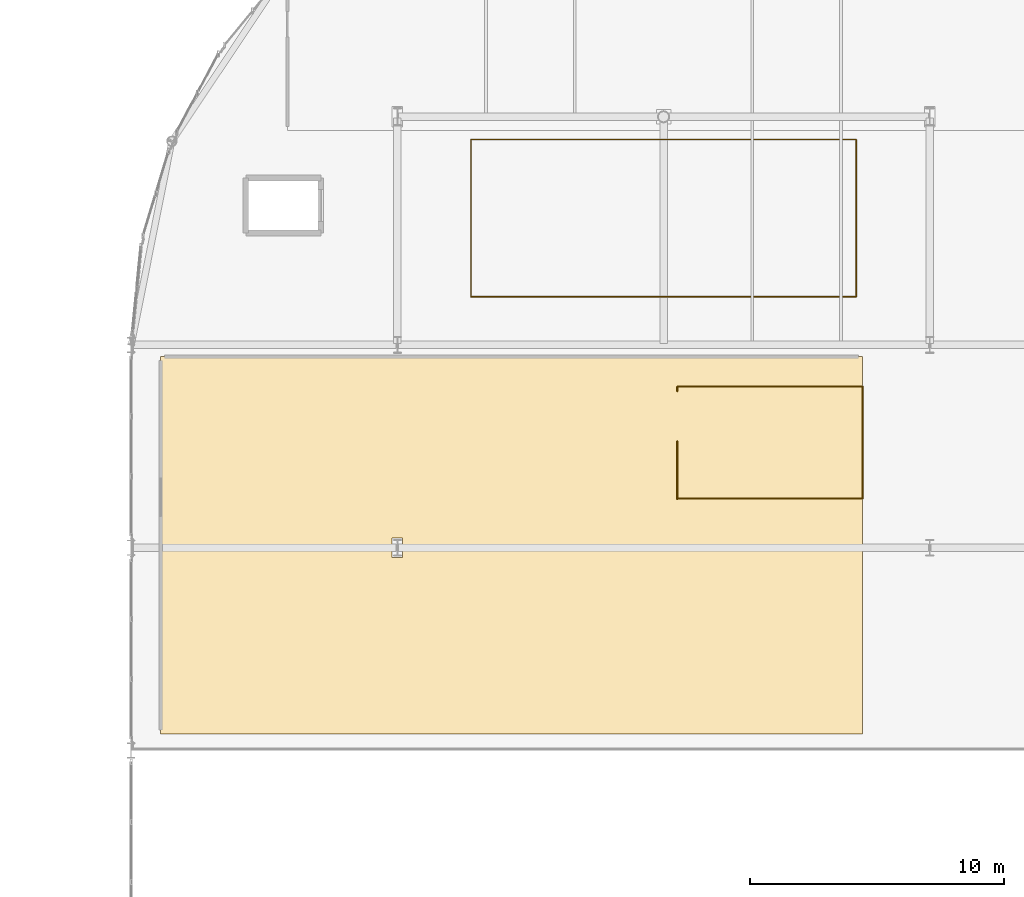
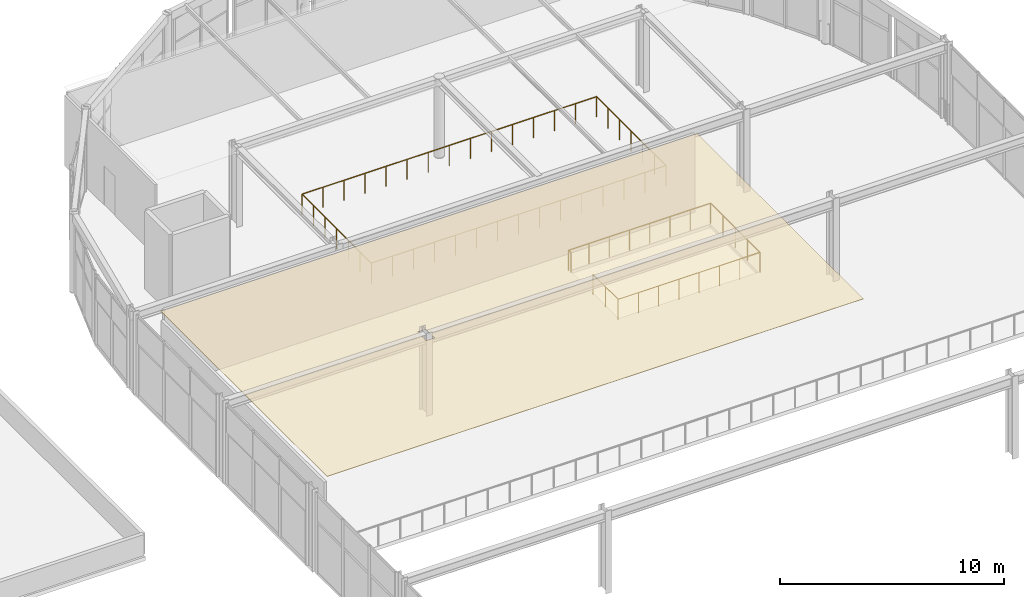
# One storey, part 94 of 105: 3 railings, 1 covering.
"""IFC4 building model written with IfcOpenShell, lengths in metres."""

from ifc_helpers import new_model, si_unit, direction, frame, origin, origin_2d, place, context, subcontext, project, spatial, polyline, circle, outline, extrude, material, layer, layer_set, type_object, element, save


model = new_model("IFC4")

# Units and contexts
model_context = context("Model", 3, precision=1e-05, world=origin(), true_north=direction((0.0, 1.0)))
body_context = subcontext(model_context, "Body", "Model", "MODEL_VIEW")
ifc_project = project(units=[si_unit("LENGTHUNIT", "METRE"), si_unit("AREAUNIT", "SQUARE_METRE"), si_unit("VOLUMEUNIT", "CUBIC_METRE"), si_unit("PLANEANGLEUNIT", "RADIAN"), si_unit("MASSUNIT", "GRAM", prefix="KILO")], contexts=[model_context])

# Site, building, storey
site_placement = place(None, origin())
site = spatial("IfcSite", under=ifc_project, at=site_placement, CompositionType="ELEMENT")
building_placement = place(site_placement, origin())
building = spatial("IfcBuilding", under=site, at=building_placement, Name="Marlcrest Central Station", CompositionType="ELEMENT")
storey_placement = place(building_placement, frame((0.0, 0.0, 15.0)))
storey = spatial("IfcBuildingStorey", under=building, at=storey_placement, Name="L03", CompositionType="ELEMENT", Elevation=15.0)

# Covering
ifc_material_1 = material(Name="Perforated acoustic mineral-fibre ceiling")
ifc_layer = layer(ifc_material_1, 0.02490234375, Name="CV-CLG")
ifc_layer_set = layer_set([ifc_layer], Name="Perforated acoustic mineral-fibre ceiling")
covering_type = type_object("IfcCoveringType", Name="CV-CLG", PredefinedType="CEILING", material=ifc_layer_set)
covering_placement = place(storey_placement, frame((0.0, 0.0, 4.175048828125)))
element("IfcCovering", 1, at=covering_placement, inside=storey, type_object=covering_type, Name="cov-clg-0121", PredefinedType="CEILING", context=body_context, shape_type="SweptSolid", body=[
    extrude(outline(polyline([(88.159912109375, 95.159912109375), (88.159912109375, 110.0400390625), (115.840087890625, 110.0400390625), (115.840087890625, 95.159912109375), (88.159912109375, 95.159912109375)]), holes=[polyline([(97.7099609375, 102.885009765625), (97.2900390625, 102.885009765625), (97.2900390625, 102.114990234375), (97.7099609375, 102.114990234375), (97.7099609375, 102.885009765625)])]), origin(), (0.0, 0.0, 1.0), 0.02490234375),
])

# Railings
ifc_material_2 = material(Name="Stainless steel and laminated glass concourse balustrade", Category="steel")
railing_type = type_object("IfcRailingType", Name="GR-02", PredefinedType="BALUSTRADE", material=ifc_material_2)
railing_1_placement = place(storey_placement, frame((100.39990234375, 112.39990234375, 0.0)))
element("IfcRailing", 2, at=railing_1_placement, inside=storey, type_object=railing_type, Name="grd-L03-0021", PredefinedType="BALUSTRADE", context=body_context, shape_type="SweptSolid", body=[
    extrude(circle(Radius=0.02392578125, at=origin_2d()), frame((0.0, 0.0, 1.09619140625), z_axis=(1.0, 0.0, 0.0), x_axis=(0.0, 1.0, 0.0)), (0.0, 0.0, 1.0), 15.2001953125),
    extrude(circle(Radius=0.02392578125, at=origin_2d()), frame((15.2001953125, 0.0, 1.09619140625), z_axis=(0.0, 1.0, 0.0), x_axis=(-1.0, 0.0, 0.0)), (0.0, 0.0, 1.0), 6.2001953125),
    extrude(circle(Radius=0.02392578125, at=origin_2d()), frame((15.2001953125, 6.2001953125, 1.09619140625), z_axis=(-1.0, 0.0, 0.0), x_axis=(0.0, -1.0, 0.0)), (0.0, 0.0, 1.0), 15.2001953125),
    extrude(circle(Radius=0.02392578125, at=origin_2d()), frame((0.0, 6.2001953125, 1.09619140625), z_axis=(0.0, -1.0, 0.0), x_axis=(1.0, 0.0, 0.0)), (0.0, 0.0, 1.0), 6.2001953125),
    extrude(circle(Radius=0.02099609375, at=origin_2d()), origin(), (0.0, 0.0, 1.0), 1.072021484375),
    extrude(circle(Radius=0.02099609375, at=origin_2d()), frame((1.085693359375, 0.0, 0.0)), (0.0, 0.0, 1.0), 1.072021484375),
    extrude(circle(Radius=0.02099609375, at=origin_2d()), frame((2.17138671875, 0.0, 0.0)), (0.0, 0.0, 1.0), 1.072021484375),
    extrude(circle(Radius=0.02099609375, at=origin_2d()), frame((3.257080078125, 0.0, 0.0)), (0.0, 0.0, 1.0), 1.072021484375),
    extrude(circle(Radius=0.02099609375, at=origin_2d()), frame((4.343017578125, 0.0, 0.0)), (0.0, 0.0, 1.0), 1.072021484375),
    extrude(circle(Radius=0.02099609375, at=origin_2d()), frame((5.4287109375, 0.0, 0.0)), (0.0, 0.0, 1.0), 1.072021484375),
    extrude(circle(Radius=0.02099609375, at=origin_2d()), frame((6.514404296875, 0.0, 0.0)), (0.0, 0.0, 1.0), 1.072021484375),
    extrude(circle(Radius=0.02099609375, at=origin_2d()), frame((7.60009765625, 0.0, 0.0)), (0.0, 0.0, 1.0), 1.072021484375),
    extrude(circle(Radius=0.02099609375, at=origin_2d()), frame((8.685791015625, 0.0, 0.0)), (0.0, 0.0, 1.0), 1.072021484375),
    extrude(circle(Radius=0.02099609375, at=origin_2d()), frame((9.771484375, 0.0, 0.0)), (0.0, 0.0, 1.0), 1.072021484375),
    extrude(circle(Radius=0.02099609375, at=origin_2d()), frame((10.857177734375, 0.0, 0.0)), (0.0, 0.0, 1.0), 1.072021484375),
    extrude(circle(Radius=0.02099609375, at=origin_2d()), frame((11.943115234375, 0.0, 0.0)), (0.0, 0.0, 1.0), 1.072021484375),
    extrude(circle(Radius=0.02099609375, at=origin_2d()), frame((13.02880859375, 0.0, 0.0)), (0.0, 0.0, 1.0), 1.072021484375),
    extrude(circle(Radius=0.02099609375, at=origin_2d()), frame((14.114501953125, 0.0, 0.0)), (0.0, 0.0, 1.0), 1.072021484375),
    extrude(circle(Radius=0.02099609375, at=origin_2d()), frame((15.2001953125, 0.0, 0.0)), (0.0, 0.0, 1.0), 1.072021484375),
    extrude(circle(Radius=0.02099609375, at=origin_2d()), frame((15.2001953125, 1.033447265625, 0.0)), (0.0, 0.0, 1.0), 1.072021484375),
    extrude(circle(Radius=0.02099609375, at=origin_2d()), frame((15.2001953125, 2.066650390625, 0.0)), (0.0, 0.0, 1.0), 1.072021484375),
    extrude(circle(Radius=0.02099609375, at=origin_2d()), frame((15.2001953125, 3.10009765625, 0.0)), (0.0, 0.0, 1.0), 1.072021484375),
    extrude(circle(Radius=0.02099609375, at=origin_2d()), frame((15.2001953125, 4.133544921875, 0.0)), (0.0, 0.0, 1.0), 1.072021484375),
    extrude(circle(Radius=0.02099609375, at=origin_2d()), frame((15.2001953125, 5.166748046875, 0.0)), (0.0, 0.0, 1.0), 1.072021484375),
    extrude(circle(Radius=0.02099609375, at=origin_2d()), frame((15.2001953125, 6.2001953125, 0.0)), (0.0, 0.0, 1.0), 1.072021484375),
    extrude(circle(Radius=0.02099609375, at=origin_2d()), frame((14.114501953125, 6.2001953125, 0.0)), (0.0, 0.0, 1.0), 1.072021484375),
    extrude(circle(Radius=0.02099609375, at=origin_2d()), frame((13.02880859375, 6.2001953125, 0.0)), (0.0, 0.0, 1.0), 1.072021484375),
    extrude(circle(Radius=0.02099609375, at=origin_2d()), frame((11.943115234375, 6.2001953125, 0.0)), (0.0, 0.0, 1.0), 1.072021484375),
    extrude(circle(Radius=0.02099609375, at=origin_2d()), frame((10.857177734375, 6.2001953125, 0.0)), (0.0, 0.0, 1.0), 1.072021484375),
    extrude(circle(Radius=0.02099609375, at=origin_2d()), frame((9.771484375, 6.2001953125, 0.0)), (0.0, 0.0, 1.0), 1.072021484375),
    extrude(circle(Radius=0.02099609375, at=origin_2d()), frame((8.685791015625, 6.2001953125, 0.0)), (0.0, 0.0, 1.0), 1.072021484375),
    extrude(circle(Radius=0.02099609375, at=origin_2d()), frame((7.60009765625, 6.2001953125, 0.0)), (0.0, 0.0, 1.0), 1.072021484375),
    extrude(circle(Radius=0.02099609375, at=origin_2d()), frame((6.514404296875, 6.2001953125, 0.0)), (0.0, 0.0, 1.0), 1.072021484375),
    extrude(circle(Radius=0.02099609375, at=origin_2d()), frame((5.4287109375, 6.2001953125, 0.0)), (0.0, 0.0, 1.0), 1.072021484375),
    extrude(circle(Radius=0.02099609375, at=origin_2d()), frame((4.343017578125, 6.2001953125, 0.0)), (0.0, 0.0, 1.0), 1.072021484375),
    extrude(circle(Radius=0.02099609375, at=origin_2d()), frame((3.257080078125, 6.2001953125, 0.0)), (0.0, 0.0, 1.0), 1.072021484375),
    extrude(circle(Radius=0.02099609375, at=origin_2d()), frame((2.17138671875, 6.2001953125, 0.0)), (0.0, 0.0, 1.0), 1.072021484375),
    extrude(circle(Radius=0.02099609375, at=origin_2d()), frame((1.085693359375, 6.2001953125, 0.0)), (0.0, 0.0, 1.0), 1.072021484375),
    extrude(circle(Radius=0.02099609375, at=origin_2d()), frame((0.0, 6.2001953125, 0.0)), (0.0, 0.0, 1.0), 1.072021484375),
    extrude(circle(Radius=0.02099609375, at=origin_2d()), frame((0.0, 5.166748046875, 0.0)), (0.0, 0.0, 1.0), 1.072021484375),
    extrude(circle(Radius=0.02099609375, at=origin_2d()), frame((0.0, 4.133544921875, 0.0)), (0.0, 0.0, 1.0), 1.072021484375),
    extrude(circle(Radius=0.02099609375, at=origin_2d()), frame((0.0, 3.10009765625, 0.0)), (0.0, 0.0, 1.0), 1.072021484375),
    extrude(circle(Radius=0.02099609375, at=origin_2d()), frame((0.0, 2.066650390625, 0.0)), (0.0, 0.0, 1.0), 1.072021484375),
    extrude(circle(Radius=0.02099609375, at=origin_2d()), frame((0.0, 1.033447265625, 0.0)), (0.0, 0.0, 1.0), 1.072021484375),
])
railing_2_placement = place(storey_placement, frame((108.5400390625, 104.43994140625, 0.0)))
element("IfcRailing", 3, at=railing_2_placement, inside=storey, type_object=railing_type, Name="hr-L03-00471", PredefinedType="BALUSTRADE", context=body_context, shape_type="SweptSolid", body=[
    extrude(circle(Radius=0.02392578125, at=origin_2d()), frame((0.0, 0.0, 1.09619140625), z_axis=(1.0, 0.0, 0.0), x_axis=(0.0, 1.0, 0.0)), (0.0, 0.0, 1.0), 7.320068359375),
    extrude(circle(Radius=0.02392578125, at=origin_2d()), frame((7.320068359375, 0.0, 1.09619140625), z_axis=(0.0, 1.0, 0.0), x_axis=(-1.0, 0.0, 0.0)), (0.0, 0.0, 1.0), 4.420166015625),
    extrude(circle(Radius=0.02392578125, at=origin_2d()), frame((7.320068359375, 4.420166015625, 1.09619140625), z_axis=(-1.0, 0.0, 0.0), x_axis=(0.0, -1.0, 0.0)), (0.0, 0.0, 1.0), 7.320068359375),
    extrude(circle(Radius=0.02392578125, at=origin_2d()), frame((0.0, 4.420166015625, 1.09619140625), z_axis=(0.0, -1.0, 0.0), x_axis=(1.0, 0.0, 0.0)), (0.0, 0.0, 1.0), 0.190185546875),
    extrude(circle(Radius=0.02099609375, at=origin_2d()), origin(), (0.0, 0.0, 1.0), 1.072021484375),
    extrude(circle(Radius=0.02099609375, at=origin_2d()), frame((1.045654296875, 0.0, 0.0)), (0.0, 0.0, 1.0), 1.072021484375),
    extrude(circle(Radius=0.02099609375, at=origin_2d()), frame((2.091552734375, 0.0, 0.0)), (0.0, 0.0, 1.0), 1.072021484375),
    extrude(circle(Radius=0.02099609375, at=origin_2d()), frame((3.13720703125, 0.0, 0.0)), (0.0, 0.0, 1.0), 1.072021484375),
    extrude(circle(Radius=0.02099609375, at=origin_2d()), frame((4.182861328125, 0.0, 0.0)), (0.0, 0.0, 1.0), 1.072021484375),
    extrude(circle(Radius=0.02099609375, at=origin_2d()), frame((5.228515625, 0.0, 0.0)), (0.0, 0.0, 1.0), 1.072021484375),
    extrude(circle(Radius=0.02099609375, at=origin_2d()), frame((6.2744140625, 0.0, 0.0)), (0.0, 0.0, 1.0), 1.072021484375),
    extrude(circle(Radius=0.02099609375, at=origin_2d()), frame((7.320068359375, 0.0, 0.0)), (0.0, 0.0, 1.0), 1.072021484375),
    extrude(circle(Radius=0.02099609375, at=origin_2d()), frame((7.320068359375, 1.10498046875, 0.0)), (0.0, 0.0, 1.0), 1.072021484375),
    extrude(circle(Radius=0.02099609375, at=origin_2d()), frame((7.320068359375, 2.2099609375, 0.0)), (0.0, 0.0, 1.0), 1.072021484375),
    extrude(circle(Radius=0.02099609375, at=origin_2d()), frame((7.320068359375, 3.315185546875, 0.0)), (0.0, 0.0, 1.0), 1.072021484375),
    extrude(circle(Radius=0.02099609375, at=origin_2d()), frame((7.320068359375, 4.420166015625, 0.0)), (0.0, 0.0, 1.0), 1.072021484375),
    extrude(circle(Radius=0.02099609375, at=origin_2d()), frame((6.2744140625, 4.420166015625, 0.0)), (0.0, 0.0, 1.0), 1.072021484375),
    extrude(circle(Radius=0.02099609375, at=origin_2d()), frame((5.228515625, 4.420166015625, 0.0)), (0.0, 0.0, 1.0), 1.072021484375),
    extrude(circle(Radius=0.02099609375, at=origin_2d()), frame((4.182861328125, 4.420166015625, 0.0)), (0.0, 0.0, 1.0), 1.072021484375),
    extrude(circle(Radius=0.02099609375, at=origin_2d()), frame((3.13720703125, 4.420166015625, 0.0)), (0.0, 0.0, 1.0), 1.072021484375),
    extrude(circle(Radius=0.02099609375, at=origin_2d()), frame((2.091552734375, 4.420166015625, 0.0)), (0.0, 0.0, 1.0), 1.072021484375),
    extrude(circle(Radius=0.02099609375, at=origin_2d()), frame((1.045654296875, 4.420166015625, 0.0)), (0.0, 0.0, 1.0), 1.072021484375),
    extrude(circle(Radius=0.02099609375, at=origin_2d()), frame((0.0, 4.420166015625, 0.0)), (0.0, 0.0, 1.0), 1.072021484375),
    extrude(circle(Radius=0.02099609375, at=origin_2d()), frame((0.0, 4.22998046875, 0.0)), (0.0, 0.0, 1.0), 1.072021484375),
])
railing_3_placement = place(storey_placement, frame((108.5400390625, 106.68994140625, 0.0)))
element("IfcRailing", 4, at=railing_3_placement, inside=storey, type_object=railing_type, Name="hr-L03-00472", PredefinedType="BALUSTRADE", context=body_context, shape_type="SweptSolid", body=[
    extrude(circle(Radius=0.02392578125, at=origin_2d()), frame((0.0, 0.0, 1.09619140625), z_axis=(0.0, -1.0, 0.0), x_axis=(1.0, 0.0, 0.0)), (0.0, 0.0, 1.0), 2.25),
    extrude(circle(Radius=0.02099609375, at=origin_2d()), origin(), (0.0, 0.0, 1.0), 1.072021484375),
    extrude(circle(Radius=0.02099609375, at=origin_2d()), frame((0.0, -1.125, 0.0)), (0.0, 0.0, 1.0), 1.072021484375),
    extrude(circle(Radius=0.02099609375, at=origin_2d()), frame((0.0, -2.25, 0.0)), (0.0, 0.0, 1.0), 1.072021484375),
])

save(model, "model.ifc")
